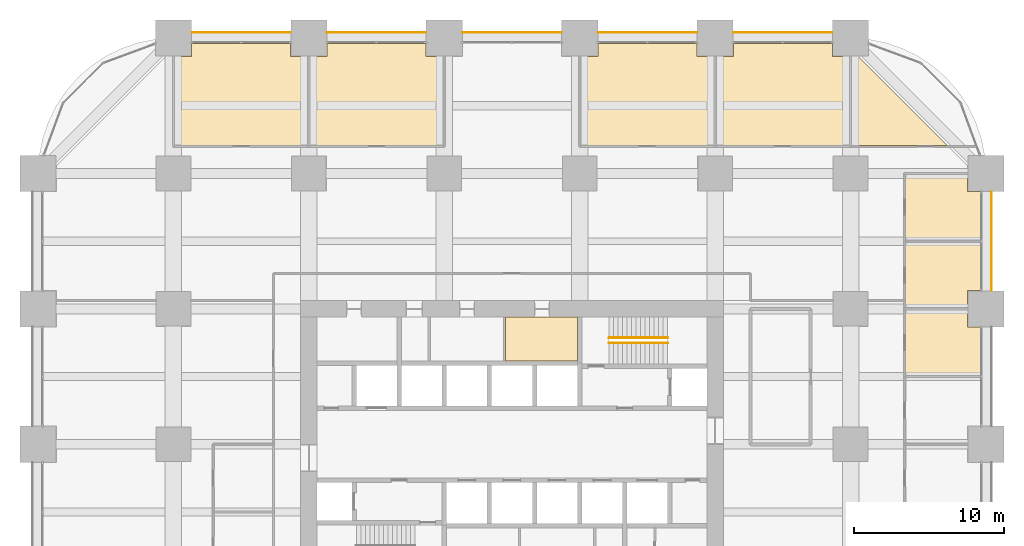
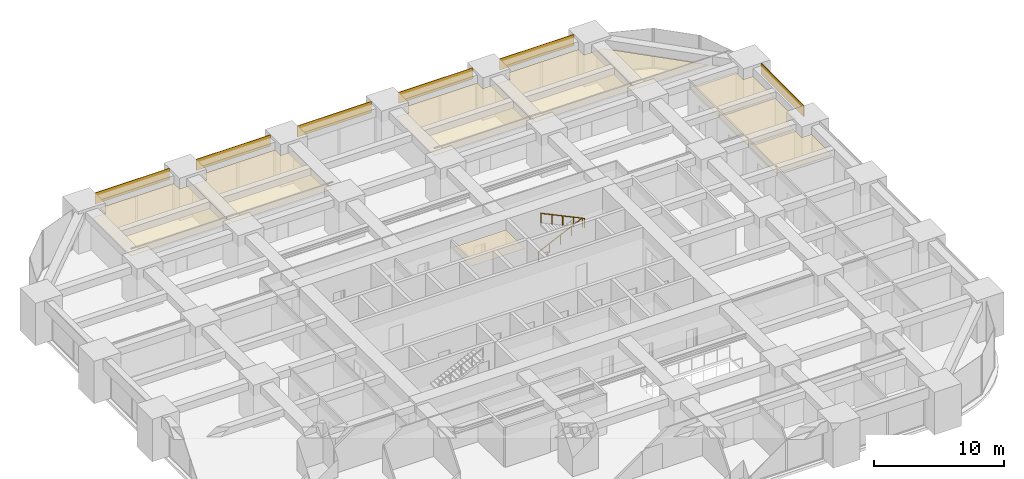
# One storey, part 45 of 45: 15 coverings, 2 railings.
"""IFC4 building model written with IfcOpenShell, lengths in metres."""

from ifc_helpers import new_model, si_unit, direction, frame, frame_2d, origin, origin_2d, place, context, subcontext, project, spatial, polyline, rectangle, circle, outline, extrude, material, layer, layer_set, type_object, element, save


model = new_model("IFC4")

# Units and contexts
model_context = context("Model", 3, precision=1e-05, world=origin(), true_north=direction((0.0, 1.0)))
body_context = subcontext(model_context, "Body", "Model", "MODEL_VIEW")
ifc_project = project(units=[si_unit("LENGTHUNIT", "METRE"), si_unit("AREAUNIT", "SQUARE_METRE"), si_unit("VOLUMEUNIT", "CUBIC_METRE"), si_unit("PLANEANGLEUNIT", "RADIAN"), si_unit("MASSUNIT", "GRAM", prefix="KILO")], contexts=[model_context])

# Site, building, storey
site_placement = place(None, origin())
site = spatial("IfcSite", under=ifc_project, at=site_placement, CompositionType="ELEMENT")
building_placement = place(site_placement, origin())
building = spatial("IfcBuilding", under=site, at=building_placement, Name="Zorevar Civic Tower", CompositionType="ELEMENT")
storey_placement = place(building_placement, frame((0.0, 0.0, 27.800048828125)))
storey = spatial("IfcBuildingStorey", under=building, at=storey_placement, Name="L06", CompositionType="ELEMENT", Elevation=27.800048828125)

# Railings
ifc_material_1 = material(Name="Black steel handrail", Category="steel")
railing_type = type_object("IfcRailingType", Name="Handrail HR1 900", PredefinedType="HANDRAIL", material=ifc_material_1)
railing_1_placement = place(storey_placement, frame((37.949951171875, 34.074951171875, 0.142822265625)))
element("IfcRailing", 1, at=railing_1_placement, inside=storey, type_object=railing_type, Name="Handrail HR1 ST2 L06", PredefinedType="HANDRAIL", context=body_context, shape_type="SweptSolid", body=[
    extrude(circle(Radius=0.02392578125, at=origin_2d()), frame((0.0, 0.0, 0.8759765625), z_axis=(0.902863652845, 0.0, 0.429926998885), x_axis=(0.0, 1.0, 0.0)), (0.0, 0.0, 1.0), 4.31982421875),
    extrude(circle(Radius=0.02099609375, at=origin_2d()), origin(), (0.0, 0.0, 1.0), 0.851806640625),
    extrude(circle(Radius=0.02099609375, at=origin_2d()), frame((0.97509765625, 0.0, 0.46435546875)), (0.0, 0.0, 1.0), 0.851806640625),
    extrude(circle(Radius=0.02099609375, at=origin_2d()), frame((1.9501953125, 0.0, 0.9287109375)), (0.0, 0.0, 1.0), 0.851806640625),
    extrude(circle(Radius=0.02099609375, at=origin_2d()), frame((2.925048828125, 0.0, 1.392822265625)), (0.0, 0.0, 1.0), 0.851806640625),
    extrude(circle(Radius=0.02099609375, at=origin_2d()), frame((3.900146484375, 0.0, 1.857177734375)), (0.0, 0.0, 1.0), 0.851806640625),
])
railing_2_placement = place(storey_placement, frame((41.85009765625, 33.72509765625, 2.142822265625)))
element("IfcRailing", 2, at=railing_2_placement, inside=storey, type_object=railing_type, Name="Handrail HR1 ST2 L06", PredefinedType="HANDRAIL", context=body_context, shape_type="SweptSolid", body=[
    extrude(circle(Radius=0.02392578125, at=origin_2d()), frame((0.0, 0.0, 0.8759765625), z_axis=(-0.902863652845, 0.0, 0.429926998885), x_axis=(0.0, -1.0, 0.0)), (0.0, 0.0, 1.0), 4.31982421875),
    extrude(circle(Radius=0.02099609375, at=origin_2d()), origin(), (0.0, 0.0, 1.0), 0.851806640625),
    extrude(circle(Radius=0.02099609375, at=origin_2d()), frame((-0.97509765625, 0.0, 0.46435546875)), (0.0, 0.0, 1.0), 0.851806640625),
    extrude(circle(Radius=0.02099609375, at=origin_2d()), frame((-1.9501953125, 0.0, 0.9287109375)), (0.0, 0.0, 1.0), 0.851806640625),
    extrude(circle(Radius=0.02099609375, at=origin_2d()), frame((-2.925048828125, 0.0, 1.392822265625)), (0.0, 0.0, 1.0), 0.851806640625),
    extrude(circle(Radius=0.02099609375, at=origin_2d()), frame((-3.900146484375, 0.0, 1.857177734375)), (0.0, 0.0, 1.0), 0.851806640625),
])

# Coverings
ifc_material_2 = material(Name="Moisture-resistant gypsum board")
ifc_layer_1 = layer(ifc_material_2, 0.012451171875)
ifc_layer_set_1 = layer_set([ifc_layer_1], Name="Moisture-resistant ceiling SC3")
covering_type_1 = type_object("IfcCoveringType", Name="Moisture-resistant ceiling SC3", PredefinedType="CEILING", material=ifc_layer_set_1)
covering_1_placement = place(storey_placement, frame((0.0, 0.0, 3.0)))
element("IfcCovering", 3, at=covering_1_placement, inside=storey, type_object=covering_type_1, Name="Ceiling L06-08", PredefinedType="CEILING", context=body_context, shape_type="SweptSolid", body=[
    extrude(outline(polyline([(35.85009765625, 32.550048828125), (35.85009765625, 35.449951171875), (31.074951171875, 35.449951171875), (31.074951171875, 32.550048828125), (35.85009765625, 32.550048828125)])), origin(), (0.0, 0.0, 1.0), 0.012451171875),
])
ifc_material_3 = material(Name="Black anodised aluminium spandrel panel", Category="aluminium")
ifc_layer_2 = layer(ifc_material_3, 0.050048828125)
ifc_layer_set_2 = layer_set([ifc_layer_2], Name="Spandrel cladding SP1")
covering_type_2 = type_object("IfcCoveringType", Name="Spandrel cladding SP1", PredefinedType="CLADDING", material=ifc_layer_set_2)
for number, where, z_axis, x_axis, name in (
    (4, (10.199951171875, 54.375, 2.949951171875), (0.0, 0.0, 1.0), (1.0, 0.0, 0.0), "Spandrel cladding L07"),
    (5, (19.199951171875, 54.375, 2.949951171875), (0.0, 0.0, 1.0), (1.0, 0.0, 0.0), "Spandrel cladding L07"),
    (6, (28.199951171875, 54.375, 2.949951171875), (0.0, 0.0, 1.0), (1.0, 0.0, 0.0), "Spandrel cladding L07"),
    (7, (37.199951171875, 54.375, 2.949951171875), (0.0, 0.0, 1.0), (1.0, 0.0, 0.0), "Spandrel cladding L07"),
    (8, (46.199951171875, 54.375, 2.949951171875), (0.0, 0.0, 1.0), (1.0, 0.0, 0.0), "Spandrel cladding L07"),
    (9, (63.375, 37.199951171875, 2.949951171875), (0.0, 0.0, 1.0), (0.0, 1.0, 0.0), "Spandrel cladding L07"),
):
    element("IfcCovering", number, at=place(storey_placement, frame(where, z_axis=z_axis, x_axis=x_axis)), inside=storey, type_object=covering_type_2, Name=name, PredefinedType="CLADDING", context=body_context, shape_type="SweptSolid", body=[
        extrude(rectangle(XDim=6.60009765625, YDim=0.050048828125, at=frame_2d((3.300048828125, 0.0))), origin(), (0.0, 0.0, 1.0), 1.050048828125),
    ])
ifc_material_4 = material(Name="Mineral fibre tiles on a concealed grid")
ifc_layer_3 = layer(ifc_material_4, 0.02001953125)
ifc_layer_set_3 = layer_set([ifc_layer_3], Name="Suspended ceiling SC1")
covering_type_3 = type_object("IfcCoveringType", Name="Suspended ceiling SC1", PredefinedType="CEILING", material=ifc_layer_set_3)
covering_2_placement = place(storey_placement, frame((0.0, 0.0, 3.0)))
element("IfcCovering", 10, at=covering_2_placement, inside=storey, type_object=covering_type_3, Name="Ceiling L06-30", PredefinedType="CEILING", context=body_context, shape_type="SweptSolid", body=[
    extrude(outline(polyline([(10.2099609375, 52.7900390625), (10.2099609375, 53.64990234375), (16.7900390625, 53.64990234375), (16.7900390625, 52.7900390625), (17.93994140625, 52.7900390625), (17.93994140625, 46.860107421875), (9.06005859375, 46.860107421875), (9.06005859375, 52.7900390625), (10.2099609375, 52.7900390625)])), origin(), (0.0, 0.0, 1.0), 0.02001953125),
])
covering_3_placement = place(storey_placement, frame((0.0, 0.0, 3.0)))
element("IfcCovering", 11, at=covering_3_placement, inside=storey, type_object=covering_type_3, Name="Ceiling L06-31", PredefinedType="CEILING", context=body_context, shape_type="SweptSolid", body=[
    extrude(outline(polyline([(19.2099609375, 52.7900390625), (19.2099609375, 53.64990234375), (25.7900390625, 53.64990234375), (25.7900390625, 52.7900390625), (26.93994140625, 52.7900390625), (26.93994140625, 46.860107421875), (18.06005859375, 46.860107421875), (18.06005859375, 52.7900390625), (19.2099609375, 52.7900390625)])), origin(), (0.0, 0.0, 1.0), 0.02001953125),
])
covering_4_placement = place(storey_placement, frame((0.0, 0.0, 3.0)))
element("IfcCovering", 12, at=covering_4_placement, inside=storey, type_object=covering_type_3, Name="Ceiling L06-32", PredefinedType="CEILING", context=body_context, shape_type="SweptSolid", body=[
    extrude(outline(polyline([(37.2099609375, 52.7900390625), (37.2099609375, 53.64990234375), (43.7900390625, 53.64990234375), (43.7900390625, 52.7900390625), (44.93994140625, 52.7900390625), (44.93994140625, 46.860107421875), (36.06005859375, 46.860107421875), (36.06005859375, 52.7900390625), (37.2099609375, 52.7900390625)])), origin(), (0.0, 0.0, 1.0), 0.02001953125),
])
covering_5_placement = place(storey_placement, frame((0.0, 0.0, 3.0)))
element("IfcCovering", 13, at=covering_5_placement, inside=storey, type_object=covering_type_3, Name="Ceiling L06-33", PredefinedType="CEILING", context=body_context, shape_type="SweptSolid", body=[
    extrude(outline(polyline([(46.2099609375, 52.7900390625), (46.2099609375, 53.64990234375), (52.7900390625, 53.64990234375), (52.7900390625, 52.7900390625), (53.93994140625, 52.7900390625), (53.93994140625, 46.860107421875), (45.06005859375, 46.860107421875), (45.06005859375, 52.7900390625), (46.2099609375, 52.7900390625)])), origin(), (0.0, 0.0, 1.0), 0.02001953125),
])
covering_6_placement = place(storey_placement, frame((0.0, 0.0, 3.0)))
element("IfcCovering", 14, at=covering_6_placement, inside=storey, type_object=covering_type_3, Name="Ceiling L06-40", PredefinedType="CEILING", context=body_context, shape_type="SweptSolid", body=[
    extrude(outline(polyline([(57.659912109375, 35.93994140625), (61.7900390625, 35.93994140625), (61.7900390625, 34.7900390625), (62.64990234375, 34.7900390625), (62.64990234375, 31.56005859375), (57.659912109375, 31.56005859375), (57.659912109375, 35.93994140625)])), origin(), (0.0, 0.0, 1.0), 0.02001953125),
])
covering_7_placement = place(storey_placement, frame((0.0, 0.0, 3.0)))
element("IfcCovering", 15, at=covering_7_placement, inside=storey, type_object=covering_type_3, Name="Ceiling L06-41", PredefinedType="CEILING", context=body_context, shape_type="SweptSolid", body=[
    extrude(outline(polyline([(57.659912109375, 40.43994140625), (62.64990234375, 40.43994140625), (62.64990234375, 37.2099609375), (61.7900390625, 37.2099609375), (61.7900390625, 36.06005859375), (57.659912109375, 36.06005859375), (57.659912109375, 40.43994140625)])), origin(), (0.0, 0.0, 1.0), 0.02001953125),
])
covering_8_placement = place(storey_placement, frame((0.0, 0.0, 3.0)))
element("IfcCovering", 16, at=covering_8_placement, inside=storey, type_object=covering_type_3, Name="Ceiling L06-42", PredefinedType="CEILING", context=body_context, shape_type="SweptSolid", body=[
    extrude(outline(polyline([(57.659912109375, 44.93994140625), (61.7900390625, 44.93994140625), (61.7900390625, 43.7900390625), (62.64990234375, 43.7900390625), (62.64990234375, 40.56005859375), (57.659912109375, 40.56005859375), (57.659912109375, 44.93994140625)])), origin(), (0.0, 0.0, 1.0), 0.02001953125),
])
covering_9_placement = place(storey_placement, frame((0.0, 0.0, 3.0)))
element("IfcCovering", 17, at=covering_9_placement, inside=storey, type_object=covering_type_3, Name="Ceiling L06-44", PredefinedType="CEILING", context=body_context, shape_type="SweptSolid", body=[
    extrude(outline(polyline([(54.06005859375, 46.85009765625), (54.06005859375, 52.7900390625), (54.5029296875, 52.7900390625), (60.44287109375, 46.85009765625), (54.06005859375, 46.85009765625)])), origin(), (0.0, 0.0, 1.0), 0.02001953125),
])

save(model, "model.ifc")
